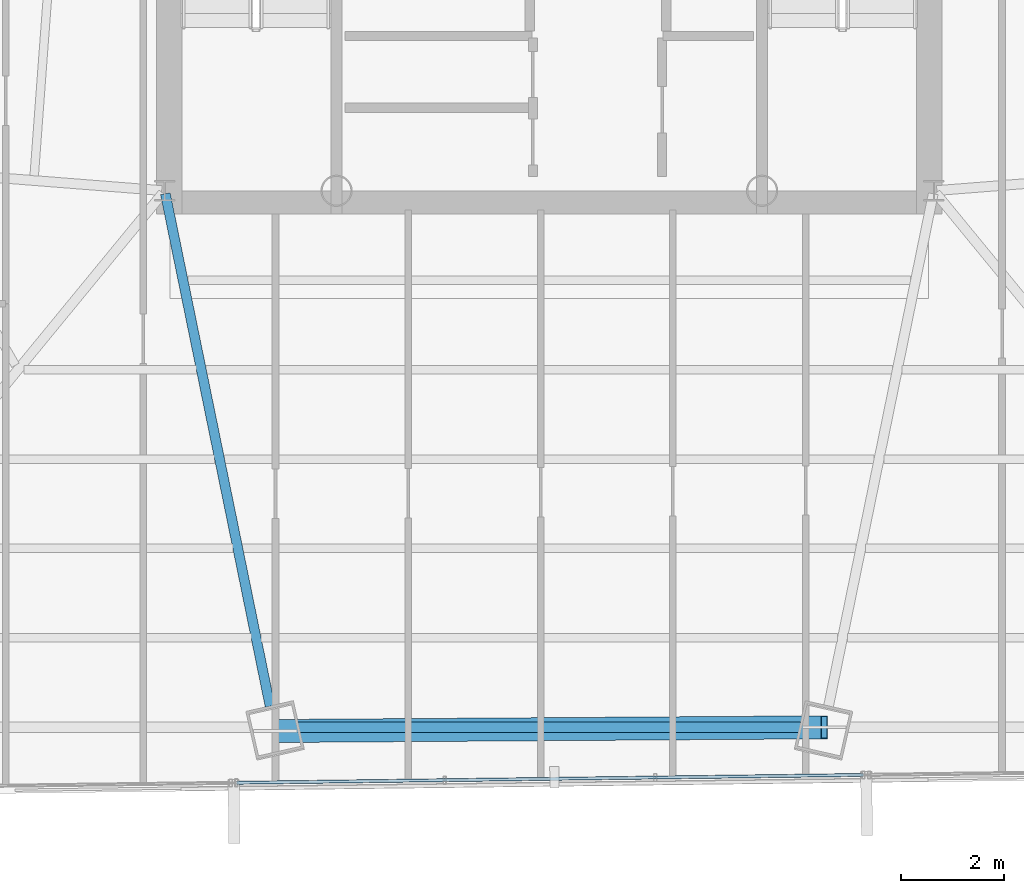
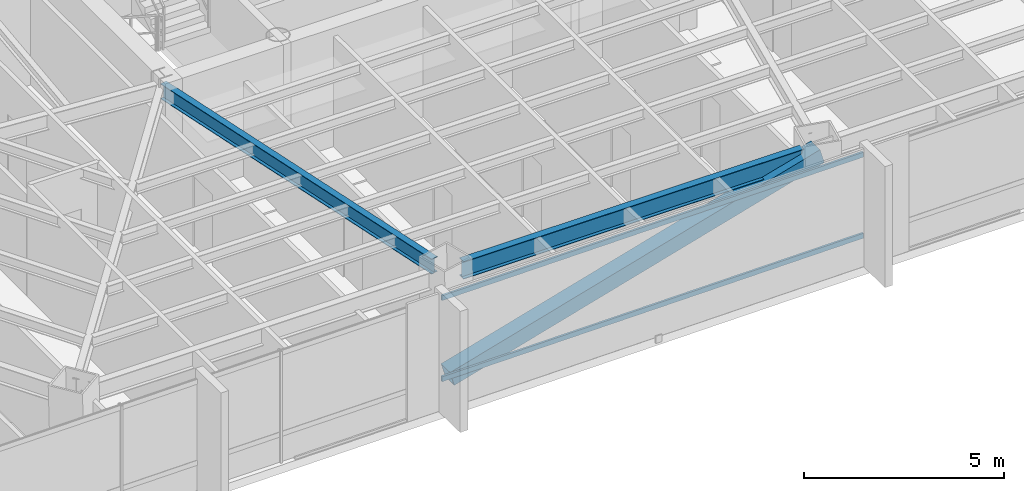
# One storey, part 9 of 42: 3 members, 2 beams, 1 element without a shape of its own.
"""IFC4 building model written with IfcOpenShell, lengths in metres."""

from ifc_helpers import new_model, si_unit, direction, frame, origin, origin_2d, place, context, subcontext, project, spatial, hollow_rectangle, i_section, extrude, source, transform, mapped, material, material_profile, profile_set, type_object, type_shapes, element, aggregate, save


model = new_model("IFC4")

# Units and contexts
model_context = context("Model", 3, precision=1e-05, world=origin(), true_north=direction((0.0, 1.0)))
body_context = subcontext(model_context, "Body", "Model", "MODEL_VIEW")
ifc_project = project(units=[si_unit("LENGTHUNIT", "METRE"), si_unit("AREAUNIT", "SQUARE_METRE"), si_unit("VOLUMEUNIT", "CUBIC_METRE"), si_unit("PLANEANGLEUNIT", "RADIAN"), si_unit("MASSUNIT", "GRAM", prefix="KILO")], contexts=[model_context])

# Site, building, storey
site_placement = place(None, origin())
site = spatial("IfcSite", under=ifc_project, at=site_placement, CompositionType="ELEMENT")
building_placement = place(site_placement, origin())
building = spatial("IfcBuilding", under=site, at=building_placement, Name="Caelisora Broadcast Tower", CompositionType="ELEMENT")
storey_placement = place(building_placement, frame((0.0, 0.0, 131.800048828125)))
storey = spatial("IfcBuildingStorey", under=building, at=storey_placement, Name="L34", CompositionType="ELEMENT", Elevation=131.800048828125)

# Beams
ifc_material_1 = material(Name="Steel Grade 350 (AS/NZS 3679.1)", Category="steel")
ifc_material_profile_1 = material_profile(ifc_material_1, i_section(OverallWidth=0.208984375, OverallDepth=0.532958984375, WebThickness=0.01025390625, FlangeThickness=0.015625, at=origin_2d()), Name="Steel Grade 350 (AS/NZS 3679.1)")
ifc_profile_set_1 = profile_set([ifc_material_profile_1], Name="Steel Grade 350 (AS/NZS 3679.1)")
beam_type_1 = type_object("IfcBeamType", Name="PG05", PredefinedType="BEAM", material=ifc_profile_set_1)
shared_shape_1 = source(origin(), body_context, "Body", "SweptSolid", [
    extrude(i_section(OverallWidth=0.208984375, OverallDepth=0.532958984375, WebThickness=0.01025390625, FlangeThickness=0.015625, at=origin_2d()), origin(), (0.0, 0.0, 1.0), 9.80322265625),
])
type_shapes(beam_type_1, [shared_shape_1])
beam_1_placement = place(storey_placement, frame((33.098388671875, 6.936279296875, 3.133544921875), z_axis=(1.0, 0.0, 0.0), x_axis=(0.0, 1.0, 0.0)))
element("IfcBeam", 1, at=beam_1_placement, inside=storey, type_object=beam_type_1, Name="L34 beam PG05", PredefinedType="BEAM", context=body_context, shape_type="MappedRepresentation", body=[
    mapped(shared_shape_1, transform((0.0, 0.0, 0.0), scale=1.0)),
])
ifc_material_profile_2 = material_profile(ifc_material_1, i_section(OverallWidth=0.19091796875, OverallDepth=0.46044921875, WebThickness=0.010009765625, FlangeThickness=0.01611328125, at=origin_2d()), Name="Steel Grade 350 (AS/NZS 3679.1)")
ifc_profile_set_2 = profile_set([ifc_material_profile_2], Name="Steel Grade 350 (AS/NZS 3679.1)")
beam_type_2 = type_object("IfcBeamType", Name="PG06", PredefinedType="BEAM", material=ifc_profile_set_2)
shared_shape_2 = source(origin(), body_context, "Body", "SweptSolid", [
    extrude(i_section(OverallWidth=0.19091796875, OverallDepth=0.46044921875, WebThickness=0.010009765625, FlangeThickness=0.01611328125, at=origin_2d()), origin(), (0.0, 0.0, 1.0), 10.2001953125),
])
type_shapes(beam_type_2, [shared_shape_2])
beam_2_placement = place(storey_placement, frame((30.511962890625, 17.34130859375, 3.169677734375), z_axis=(0.200215575743, -0.979751868194, 0.0), x_axis=(0.979751868194, 0.200215575743, 0.0)))
element("IfcBeam", 2, at=beam_2_placement, inside=storey, type_object=beam_type_2, Name="L34 beam PG06", PredefinedType="BEAM", context=body_context, shape_type="MappedRepresentation", body=[
    mapped(shared_shape_2, transform((0.0, 0.0, 0.0), scale=1.0)),
])

# Member
ifc_material_2 = material(Name="Steel Grade 450 (AS/NZS 1163 C450L0)", Category="steel")
ifc_material_profile_3 = material_profile(ifc_material_2, hollow_rectangle(XDim=0.449951171875, YDim=0.449951171875, WallThickness=0.01611328125, at=origin_2d()), Name="Steel Grade 450 (AS/NZS 1163 C450L0)")
ifc_profile_set_3 = profile_set([ifc_material_profile_3], Name="Steel Grade 450 (AS/NZS 1163 C450L0)")
member_type_1 = type_object("IfcMemberType", Name="BR03", PredefinedType="BRACE", material=ifc_profile_set_3)
shared_shape_3 = source(origin(), body_context, "Body", "SweptSolid", [
    extrude(hollow_rectangle(XDim=0.449951171875, YDim=0.449951171875, WallThickness=0.01611328125, at=origin_2d()), origin(), (0.0, 0.0, 1.0), 11.119384765625),
])
type_shapes(member_type_1, [shared_shape_3])
member_1_placement = place(storey_placement, frame((32.65478515625, 6.864013671875, 0.099853515625), z_axis=(0.962894639666, 0.006499072246, 0.269799323503), x_axis=(-0.006749361714, 0.999977222799, 0.0)))
element("IfcMember", 3, at=member_1_placement, inside=storey, type_object=member_type_1, Name="L34 perimeter brace BR03", PredefinedType="BRACE", context=body_context, shape_type="MappedRepresentation", body=[
    mapped(shared_shape_3, transform((0.0, 0.0, 0.0), scale=1.0)),
])

# Curtain wall, members
ifc_material_3 = material(Name="Unitised Aluminium Insulated Shadow-Box Spandrel Curtain Wall", Category="aluminium")
curtain_wall_type = type_object("IfcCurtainWallType", Name="CW-SP2", PredefinedType="NOTDEFINED", material=ifc_material_3)
curtain_wall_placement = place(storey_placement, origin())
curtain_wall = element("IfcCurtainWall", 4, at=curtain_wall_placement, inside=storey, type_object=curtain_wall_type, Name="L34 curtain wall CW-SP2", PredefinedType="NOTDEFINED")
ifc_material_4 = material(Name="Aluminium 6063-T6 Anodised Terracotta Bronze", Category="aluminium")
ifc_material_profile_4 = material_profile(ifc_material_4, hollow_rectangle(XDim=0.06005859375, YDim=0.14990234375, WallThickness=0.00341796875, at=origin_2d()), Name="Aluminium 6063-T6 Anodised Terracotta Bronze")
ifc_profile_set_4 = profile_set([ifc_material_profile_4], Name="Aluminium 6063-T6 Anodised Terracotta Bronze")
member_type_2 = type_object("IfcMemberType", Name="CWT-02", PredefinedType="USERDEFINED", material=ifc_profile_set_4)
shared_shape_4 = source(origin(), body_context, "Body", "SweptSolid", [
    extrude(hollow_rectangle(XDim=0.06005859375, YDim=0.14990234375, WallThickness=0.00341796875, at=origin_2d()), origin(), (0.0, 0.0, 1.0), 12.2294921875),
])
type_shapes(member_type_2, [shared_shape_4])
member_2_placement = place(storey_placement, frame((44.1259765625, 6.007568359375, 0.849853515625), z_axis=(-0.999921158923, -0.012556908021, 0.0), x_axis=(0.012556908021, -0.999921158923, 0.0)))
member_2 = element("IfcMember", 5, at=member_2_placement, type_object=member_type_2, Name="L34-CW-B06 transom #1", ObjectType="TRANSOM", PredefinedType="USERDEFINED", context=body_context, shape_type="MappedRepresentation", body=[
    mapped(shared_shape_4, transform((0.0, 0.0, 0.0), scale=1.0)),
])
member_3_placement = place(storey_placement, frame((44.1259765625, 6.007568359375, 3.320068359375), z_axis=(-0.999921158923, -0.012556908021, 0.0), x_axis=(0.012556908021, -0.999921158923, 0.0)))
member_3 = element("IfcMember", 6, at=member_3_placement, type_object=member_type_2, Name="L34-CW-B06 transom #2", ObjectType="TRANSOM", PredefinedType="USERDEFINED", context=body_context, shape_type="MappedRepresentation", body=[
    mapped(shared_shape_4, transform((0.0, 0.0, 0.0), scale=1.0)),
])
aggregate(curtain_wall, [member_2, member_3])

save(model, "model.ifc")
